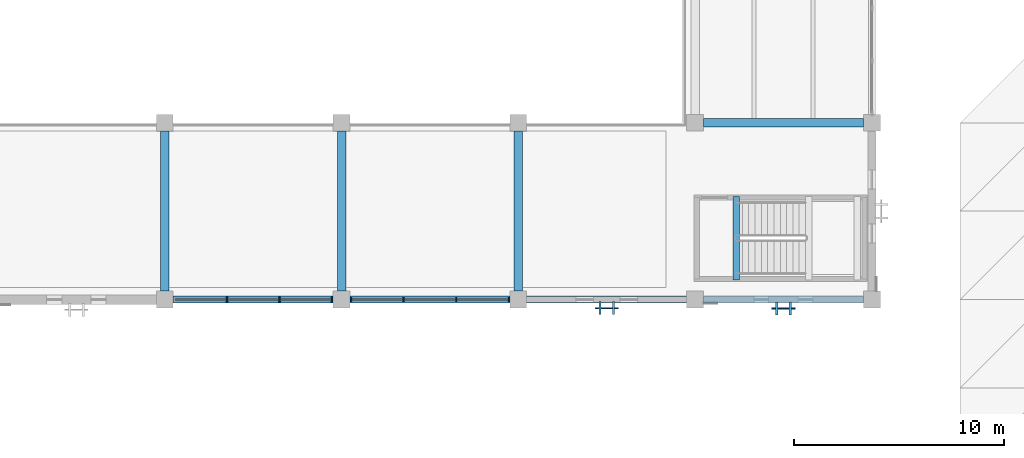
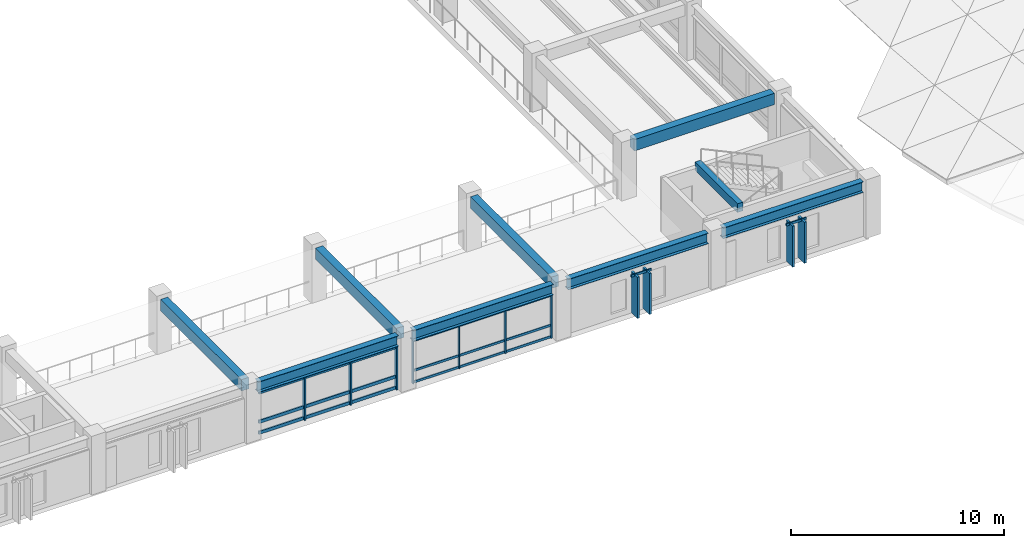
# One storey, part 8 of 123: 31 members, 9 beams, 4 elements without a shape of their own.
"""IFC4 building model written with IfcOpenShell, lengths in metres."""

from ifc_helpers import new_model, si_unit, direction, frame, origin, origin_2d, place, context, subcontext, project, spatial, rectangle, i_section, extrude, material, material_profile, profile_set, type_object, element, aggregate, save


model = new_model("IFC4")

# Units and contexts
model_context = context("Model", 3, precision=1e-05, world=origin(), true_north=direction((0.0, 1.0)))
body_context = subcontext(model_context, "Body", "Model", "MODEL_VIEW")
ifc_project = project(units=[si_unit("LENGTHUNIT", "METRE"), si_unit("AREAUNIT", "SQUARE_METRE"), si_unit("VOLUMEUNIT", "CUBIC_METRE"), si_unit("PLANEANGLEUNIT", "RADIAN"), si_unit("MASSUNIT", "GRAM", prefix="KILO")], contexts=[model_context])

# Site, building, storey
site_placement = place(None, origin())
site = spatial("IfcSite", under=ifc_project, at=site_placement, CompositionType="ELEMENT")
building_placement = place(site_placement, origin())
building = spatial("IfcBuilding", under=site, at=building_placement, Name="Cumbredor Promenade Congress Hotel", CompositionType="ELEMENT")
storey_placement = place(building_placement, frame((0.0, 0.0, 11.760009765625)))
storey = spatial("IfcBuildingStorey", under=building, at=storey_placement, Name="L03", CompositionType="ELEMENT", Elevation=11.760009765625)

# Beams
ifc_material_1 = material(Name="Concrete C40/50", Category="concrete")
ifc_material_profile_1 = material_profile(ifc_material_1, rectangle(XDim=0.39990234375, YDim=0.64990234375, at=origin_2d()), Name="RC BEAM 400x650")
ifc_profile_set_1 = profile_set([ifc_material_profile_1], Name="Concrete C40/50")
beam_type_1 = type_object("IfcBeamType", Name="BM-RC-400x650", PredefinedType="BEAM", material=ifc_profile_set_1)
for number, where, z_axis, x_axis, name in (
    (1, (33.60009765625, 8.800048828125, 2.794921875), (0.0, 1.0, 0.0), (-1.0, 0.0, 0.0), "L04 Y-Grid Beam 064"),
    (2, (42.0, 8.800048828125, 2.794921875), (0.0, 1.0, 0.0), (-1.0, 0.0, 0.0), "L04 Y-Grid Beam 077"),
    (3, (50.39990234375, 8.800048828125, 2.794921875), (0.0, 1.0, 0.0), (-1.0, 0.0, 0.0), "L04 Y-Grid Beam 090"),
):
    element("IfcBeam", number, at=place(storey_placement, frame(where, z_axis=z_axis, x_axis=x_axis)), inside=storey, type_object=beam_type_1, Name=name, PredefinedType="BEAM", context=body_context, shape_type="SweptSolid", body=[
        extrude(rectangle(XDim=0.39990234375, YDim=0.64990234375, at=origin_2d()), origin(), (0.0, 0.0, 1.0), 7.599853515625),
    ])
beam_1_placement = place(storey_placement, frame((59.199951171875, 16.800048828125, 2.794921875), z_axis=(1.0, 0.0, 0.0), x_axis=(0.0, 1.0, 0.0)))
element("IfcBeam", 4, at=beam_1_placement, inside=storey, type_object=beam_type_1, Name="L04 X-Grid Beam 104", PredefinedType="BEAM", context=body_context, shape_type="SweptSolid", body=[
    extrude(rectangle(XDim=0.39990234375, YDim=0.64990234375, at=origin_2d()), origin(), (0.0, 0.0, 1.0), 7.60009765625),
])
ifc_material_2 = material(Name="Steel ASTM A992 Grade 50", Category="steel")
ifc_material_profile_2 = material_profile(ifc_material_2, i_section(OverallWidth=0.323974609375, OverallDepth=0.611083984375, WebThickness=0.0126953125, FlangeThickness=0.01904296875, at=origin_2d()), Name="W24X104")
ifc_profile_set_2 = profile_set([ifc_material_profile_2], Name="Steel ASTM A992 Grade 50")
beam_type_2 = type_object("IfcBeamType", Name="BM-W24X104", PredefinedType="BEAM", material=ifc_profile_set_2)
for number, where, z_axis, x_axis, name in (
    (5, (34.0, 8.39990234375, 2.814453125), (1.0, 0.0, 0.0), (0.0, 1.0, 0.0), "L04 X-Grid Beam 063"),
    (6, (42.39990234375, 8.39990234375, 2.814453125), (1.0, 0.0, 0.0), (0.0, 1.0, 0.0), "L04 X-Grid Beam 076"),
):
    element("IfcBeam", number, at=place(storey_placement, frame(where, z_axis=z_axis, x_axis=x_axis)), inside=storey, type_object=beam_type_2, Name=name, PredefinedType="BEAM", context=body_context, shape_type="SweptSolid", body=[
        extrude(i_section(OverallWidth=0.323974609375, OverallDepth=0.611083984375, WebThickness=0.0126953125, FlangeThickness=0.01904296875, at=origin_2d()), origin(), (0.0, 0.0, 1.0), 7.60009765625),
    ])
beam_2_placement = place(storey_placement, frame((50.800048828125, 8.39990234375, 2.814453125), z_axis=(1.0, 0.0, 0.0), x_axis=(0.0, 1.0, 0.0)))
element("IfcBeam", 7, at=beam_2_placement, inside=storey, type_object=beam_type_2, Name="L04 X-Grid Beam 089", PredefinedType="BEAM", context=body_context, shape_type="SweptSolid", body=[
    extrude(i_section(OverallWidth=0.323974609375, OverallDepth=0.611083984375, WebThickness=0.0126953125, FlangeThickness=0.01904296875, at=origin_2d()), origin(), (0.0, 0.0, 1.0), 7.599853515625),
])
beam_3_placement = place(storey_placement, frame((59.199951171875, 8.39990234375, 2.814453125), z_axis=(1.0, 0.0, 0.0), x_axis=(0.0, 1.0, 0.0)))
element("IfcBeam", 8, at=beam_3_placement, inside=storey, type_object=beam_type_2, Name="L04 X-Grid Beam 103", PredefinedType="BEAM", context=body_context, shape_type="SweptSolid", body=[
    extrude(i_section(OverallWidth=0.323974609375, OverallDepth=0.611083984375, WebThickness=0.0126953125, FlangeThickness=0.01904296875, at=origin_2d()), origin(), (0.0, 0.0, 1.0), 7.60009765625),
])

# Curtain wall, members
ifc_material_3 = material(Name="Thermally broken anodized aluminium and low-E glass", Category="aluminium")
curtain_wall_type_1 = type_object("IfcCurtainWallType", Name="Unitised Bronze Curtain Wall CW-01", PredefinedType="NOTDEFINED", material=ifc_material_3)
curtain_wall_1_placement = place(storey_placement, origin())
curtain_wall_1 = element("IfcCurtainWall", 9, at=curtain_wall_1_placement, inside=storey, type_object=curtain_wall_type_1, Name="L03 Plenary Congress Hall South Curtain Wall 5", PredefinedType="NOTDEFINED")
ifc_material_4 = material(Name="Thermally broken anodized aluminium", Category="aluminium")
ifc_material_profile_3 = material_profile(ifc_material_4, rectangle(XDim=0.06494140625, YDim=0.159912109375, at=origin_2d()), Name="ALU MULLION 65x160")
ifc_profile_set_3 = profile_set([ifc_material_profile_3], Name="Thermally broken anodized aluminium")
member_type_1 = type_object("IfcMemberType", Name="Curtain Wall Mullion ML-01", PredefinedType="MULLION", material=ifc_profile_set_3)
member_1_placement = place(storey_placement, frame((42.455078125, 8.39990234375, -0.008056640625), z_axis=(0.0, 0.0, 1.0), x_axis=(1.0, 0.0, 0.0)))
member_1 = element("IfcMember", 10, at=member_1_placement, type_object=member_type_1, Name="L03 Plenary Congress Hall South Curtain Wall 5 Mullion 1", PredefinedType="MULLION", context=body_context, shape_type="SweptSolid", body=[
    extrude(rectangle(XDim=0.06494140625, YDim=0.159912109375, at=origin_2d()), origin(), (0.0, 0.0, 1.0), 2.510009765625),
])
member_2_placement = place(storey_placement, frame((44.95166015625, 8.39990234375, -0.008056640625), z_axis=(0.0, 0.0, 1.0), x_axis=(1.0, 0.0, 0.0)))
member_2 = element("IfcMember", 11, at=member_2_placement, type_object=member_type_1, Name="L03 Plenary Congress Hall South Curtain Wall 5 Mullion 2", PredefinedType="MULLION", context=body_context, shape_type="SweptSolid", body=[
    extrude(rectangle(XDim=0.06494140625, YDim=0.159912109375, at=origin_2d()), origin(), (0.0, 0.0, 1.0), 2.510009765625),
])
member_3_placement = place(storey_placement, frame((47.4482421875, 8.39990234375, -0.008056640625), z_axis=(0.0, 0.0, 1.0), x_axis=(1.0, 0.0, 0.0)))
member_3 = element("IfcMember", 12, at=member_3_placement, type_object=member_type_1, Name="L03 Plenary Congress Hall South Curtain Wall 5 Mullion 3", PredefinedType="MULLION", context=body_context, shape_type="SweptSolid", body=[
    extrude(rectangle(XDim=0.06494140625, YDim=0.159912109375, at=origin_2d()), origin(), (0.0, 0.0, 1.0), 2.510009765625),
])
member_4_placement = place(storey_placement, frame((49.945068359375, 8.39990234375, -0.008056640625), z_axis=(0.0, 0.0, 1.0), x_axis=(1.0, 0.0, 0.0)))
member_4 = element("IfcMember", 13, at=member_4_placement, type_object=member_type_1, Name="L03 Plenary Congress Hall South Curtain Wall 5 Mullion 4", PredefinedType="MULLION", context=body_context, shape_type="SweptSolid", body=[
    extrude(rectangle(XDim=0.06494140625, YDim=0.159912109375, at=origin_2d()), origin(), (0.0, 0.0, 1.0), 2.510009765625),
])

curtain_wall_2_placement = place(storey_placement, origin())
curtain_wall_2 = element("IfcCurtainWall", 14, at=curtain_wall_2_placement, inside=storey, type_object=curtain_wall_type_1, Name="L03 Plenary Congress Hall South Curtain Wall 4", PredefinedType="NOTDEFINED")
ifc_material_profile_4 = material_profile(ifc_material_4, rectangle(XDim=0.080078125, YDim=0.239990234375, at=origin_2d()), Name="ALU MULLION 80x240")
ifc_profile_set_4 = profile_set([ifc_material_profile_4], Name="Thermally broken anodized aluminium")
member_type_2 = type_object("IfcMemberType", Name="Curtain Wall Mullion ML-03", PredefinedType="MULLION", material=ifc_profile_set_4)
member_5_placement = place(storey_placement, frame((36.5517578125, 8.39990234375, -0.008056640625), z_axis=(0.0, 0.0, 1.0), x_axis=(1.0, 0.0, 0.0)))
member_5 = element("IfcMember", 15, at=member_5_placement, type_object=member_type_2, Name="L03 Plenary Congress Hall South Curtain Wall 4 Mullion 2", PredefinedType="MULLION", context=body_context, shape_type="SweptSolid", body=[
    extrude(rectangle(XDim=0.080078125, YDim=0.239990234375, at=origin_2d()), origin(), (0.0, 0.0, 1.0), 2.510009765625),
])
member_6_placement = place(storey_placement, frame((39.04833984375, 8.39990234375, -0.008056640625), z_axis=(0.0, 0.0, 1.0), x_axis=(1.0, 0.0, 0.0)))
member_6 = element("IfcMember", 16, at=member_6_placement, type_object=member_type_2, Name="L03 Plenary Congress Hall South Curtain Wall 4 Mullion 3", PredefinedType="MULLION", context=body_context, shape_type="SweptSolid", body=[
    extrude(rectangle(XDim=0.080078125, YDim=0.239990234375, at=origin_2d()), origin(), (0.0, 0.0, 1.0), 2.510009765625),
])
member_7_placement = place(storey_placement, frame((41.544921875, 8.39990234375, -0.008056640625), z_axis=(0.0, 0.0, 1.0), x_axis=(1.0, 0.0, 0.0)))
member_7 = element("IfcMember", 17, at=member_7_placement, type_object=member_type_2, Name="L03 Plenary Congress Hall South Curtain Wall 4 Mullion 4", PredefinedType="MULLION", context=body_context, shape_type="SweptSolid", body=[
    extrude(rectangle(XDim=0.080078125, YDim=0.239990234375, at=origin_2d()), origin(), (0.0, 0.0, 1.0), 2.510009765625),
])

# Member
ifc_material_profile_5 = material_profile(ifc_material_4, rectangle(XDim=0.06494140625, YDim=0.1298828125, at=origin_2d()), Name="ALU TRANSOM 65x130")
ifc_profile_set_5 = profile_set([ifc_material_profile_5], Name="Thermally broken anodized aluminium")
member_type_3 = type_object("IfcMemberType", Name="Curtain Wall Transom TR-01", PredefinedType="USERDEFINED", material=ifc_profile_set_5)
member_8_placement = place(storey_placement, frame((42.487548828125, 8.39990234375, 0.06005859375), z_axis=(1.0, 0.0, 0.0), x_axis=(0.0, 1.0, 0.0)))
member_8 = element("IfcMember", 18, at=member_8_placement, type_object=member_type_3, Name="L03 Plenary Congress Hall South Curtain Wall 5 Transom 1.1", ObjectType="TRANSOM", PredefinedType="USERDEFINED", context=body_context, shape_type="SweptSolid", body=[
    extrude(rectangle(XDim=0.06494140625, YDim=0.1298828125, at=origin_2d()), origin(), (0.0, 0.0, 1.0), 2.431640625),
])

member_9_placement = place(storey_placement, frame((42.487548828125, 8.39990234375, 0.719970703125), z_axis=(1.0, 0.0, 0.0), x_axis=(0.0, 1.0, 0.0)))
member_9 = element("IfcMember", 19, at=member_9_placement, type_object=member_type_3, Name="L03 Plenary Congress Hall South Curtain Wall 5 Transom 1.2", ObjectType="TRANSOM", PredefinedType="USERDEFINED", context=body_context, shape_type="SweptSolid", body=[
    extrude(rectangle(XDim=0.06494140625, YDim=0.1298828125, at=origin_2d()), origin(), (0.0, 0.0, 1.0), 2.431640625),
])

member_10_placement = place(storey_placement, frame((42.487548828125, 8.39990234375, 2.429931640625), z_axis=(1.0, 0.0, 0.0), x_axis=(0.0, 1.0, 0.0)))
member_10 = element("IfcMember", 20, at=member_10_placement, type_object=member_type_3, Name="L03 Plenary Congress Hall South Curtain Wall 5 Transom 1.3", ObjectType="TRANSOM", PredefinedType="USERDEFINED", context=body_context, shape_type="SweptSolid", body=[
    extrude(rectangle(XDim=0.06494140625, YDim=0.1298828125, at=origin_2d()), origin(), (0.0, 0.0, 1.0), 2.431640625),
])

member_11_placement = place(storey_placement, frame((44.984130859375, 8.39990234375, 0.06005859375), z_axis=(1.0, 0.0, 0.0), x_axis=(0.0, 1.0, 0.0)))
member_11 = element("IfcMember", 21, at=member_11_placement, type_object=member_type_3, Name="L03 Plenary Congress Hall South Curtain Wall 5 Transom 2.1", ObjectType="TRANSOM", PredefinedType="USERDEFINED", context=body_context, shape_type="SweptSolid", body=[
    extrude(rectangle(XDim=0.06494140625, YDim=0.1298828125, at=origin_2d()), origin(), (0.0, 0.0, 1.0), 2.431640625),
])

member_12_placement = place(storey_placement, frame((44.984130859375, 8.39990234375, 0.719970703125), z_axis=(1.0, 0.0, 0.0), x_axis=(0.0, 1.0, 0.0)))
member_12 = element("IfcMember", 22, at=member_12_placement, type_object=member_type_3, Name="L03 Plenary Congress Hall South Curtain Wall 5 Transom 2.2", ObjectType="TRANSOM", PredefinedType="USERDEFINED", context=body_context, shape_type="SweptSolid", body=[
    extrude(rectangle(XDim=0.06494140625, YDim=0.1298828125, at=origin_2d()), origin(), (0.0, 0.0, 1.0), 2.431640625),
])

member_13_placement = place(storey_placement, frame((44.984130859375, 8.39990234375, 2.429931640625), z_axis=(1.0, 0.0, 0.0), x_axis=(0.0, 1.0, 0.0)))
member_13 = element("IfcMember", 23, at=member_13_placement, type_object=member_type_3, Name="L03 Plenary Congress Hall South Curtain Wall 5 Transom 2.3", ObjectType="TRANSOM", PredefinedType="USERDEFINED", context=body_context, shape_type="SweptSolid", body=[
    extrude(rectangle(XDim=0.06494140625, YDim=0.1298828125, at=origin_2d()), origin(), (0.0, 0.0, 1.0), 2.431640625),
])

member_14_placement = place(storey_placement, frame((47.480712890625, 8.39990234375, 0.06005859375), z_axis=(1.0, 0.0, 0.0), x_axis=(0.0, 1.0, 0.0)))
member_14 = element("IfcMember", 24, at=member_14_placement, type_object=member_type_3, Name="L03 Plenary Congress Hall South Curtain Wall 5 Transom 3.1", ObjectType="TRANSOM", PredefinedType="USERDEFINED", context=body_context, shape_type="SweptSolid", body=[
    extrude(rectangle(XDim=0.06494140625, YDim=0.1298828125, at=origin_2d()), origin(), (0.0, 0.0, 1.0), 2.431884765625),
])

member_15_placement = place(storey_placement, frame((47.480712890625, 8.39990234375, 0.719970703125), z_axis=(1.0, 0.0, 0.0), x_axis=(0.0, 1.0, 0.0)))
member_15 = element("IfcMember", 25, at=member_15_placement, type_object=member_type_3, Name="L03 Plenary Congress Hall South Curtain Wall 5 Transom 3.2", ObjectType="TRANSOM", PredefinedType="USERDEFINED", context=body_context, shape_type="SweptSolid", body=[
    extrude(rectangle(XDim=0.06494140625, YDim=0.1298828125, at=origin_2d()), origin(), (0.0, 0.0, 1.0), 2.431884765625),
])

member_16_placement = place(storey_placement, frame((47.480712890625, 8.39990234375, 2.429931640625), z_axis=(1.0, 0.0, 0.0), x_axis=(0.0, 1.0, 0.0)))
member_16 = element("IfcMember", 26, at=member_16_placement, type_object=member_type_3, Name="L03 Plenary Congress Hall South Curtain Wall 5 Transom 3.3", ObjectType="TRANSOM", PredefinedType="USERDEFINED", context=body_context, shape_type="SweptSolid", body=[
    extrude(rectangle(XDim=0.06494140625, YDim=0.1298828125, at=origin_2d()), origin(), (0.0, 0.0, 1.0), 2.431884765625),
])

aggregate(curtain_wall_1, [member_1, member_2, member_3, member_4, member_8, member_9, member_10, member_11, member_12, member_13, member_14, member_15, member_16])

# Curtain wall, member
curtain_wall_type_2 = type_object("IfcCurtainWallType", Name="Solar Brise-Soleil Screen Assembly CW-07", PredefinedType="NOTDEFINED", material=ifc_material_3)
curtain_wall_3_placement = place(storey_placement, origin())
curtain_wall_3 = element("IfcCurtainWall", 27, at=curtain_wall_3_placement, inside=storey, type_object=curtain_wall_type_2, Name="L03 Pier Brise-Soleil Screen 0529", PredefinedType="NOTDEFINED")
member_17_placement = place(storey_placement, frame((54.050048828125, 7.989990234375, 2.333984375), z_axis=(1.0, 0.0, 0.0), x_axis=(0.0, 1.0, 0.0)))
member_17 = element("IfcMember", 28, at=member_17_placement, type_object=member_type_3, Name="L03 Pier Brise-Soleil Header 0531", ObjectType="TRANSOM", PredefinedType="USERDEFINED", context=body_context, shape_type="SweptSolid", body=[
    extrude(rectangle(XDim=0.06494140625, YDim=0.1298828125, at=origin_2d()), origin(), (0.0, 0.0, 1.0), 1.099853515625),
])

curtain_wall_4_placement = place(storey_placement, origin())
curtain_wall_4 = element("IfcCurtainWall", 29, at=curtain_wall_4_placement, inside=storey, type_object=curtain_wall_type_2, Name="L03 Pier Brise-Soleil Screen 0532", PredefinedType="NOTDEFINED")
member_18_placement = place(storey_placement, frame((62.449951171875, 7.9775390625, 2.333984375), z_axis=(1.0, 0.0, 0.0), x_axis=(0.0, 1.0, 0.0)))
member_18 = element("IfcMember", 30, at=member_18_placement, type_object=member_type_3, Name="L03 Pier Brise-Soleil Header 0534", ObjectType="TRANSOM", PredefinedType="USERDEFINED", context=body_context, shape_type="SweptSolid", body=[
    extrude(rectangle(XDim=0.06494140625, YDim=0.1298828125, at=origin_2d()), origin(), (0.0, 0.0, 1.0), 1.10009765625),
])

# Member
ifc_material_profile_6 = material_profile(ifc_material_4, rectangle(XDim=0.080078125, YDim=0.179931640625, at=origin_2d()), Name="ALU TRANSOM 80x180")
ifc_profile_set_6 = profile_set([ifc_material_profile_6], Name="Thermally broken anodized aluminium")
member_type_4 = type_object("IfcMemberType", Name="Curtain Wall Transom TR-03", PredefinedType="USERDEFINED", material=ifc_profile_set_6)
member_19_placement = place(storey_placement, frame((34.094970703125, 8.39990234375, 0.090087890625), z_axis=(1.0, 0.0, 0.0), x_axis=(0.0, 1.0, 0.0)))
member_19 = element("IfcMember", 31, at=member_19_placement, type_object=member_type_4, Name="L03 Plenary Congress Hall South Curtain Wall 4 Transom 1.1", ObjectType="TRANSOM", PredefinedType="USERDEFINED", context=body_context, shape_type="SweptSolid", body=[
    extrude(rectangle(XDim=0.080078125, YDim=0.179931640625, at=origin_2d()), origin(), (0.0, 0.0, 1.0), 2.416748046875),
])

member_20_placement = place(storey_placement, frame((34.094970703125, 8.39990234375, 0.719970703125), z_axis=(1.0, 0.0, 0.0), x_axis=(0.0, 1.0, 0.0)))
member_20 = element("IfcMember", 32, at=member_20_placement, type_object=member_type_4, Name="L03 Plenary Congress Hall South Curtain Wall 4 Transom 1.2", ObjectType="TRANSOM", PredefinedType="USERDEFINED", context=body_context, shape_type="SweptSolid", body=[
    extrude(rectangle(XDim=0.080078125, YDim=0.179931640625, at=origin_2d()), origin(), (0.0, 0.0, 1.0), 2.416748046875),
])

member_21_placement = place(storey_placement, frame((34.094970703125, 8.39990234375, 2.39990234375), z_axis=(1.0, 0.0, 0.0), x_axis=(0.0, 1.0, 0.0)))
member_21 = element("IfcMember", 33, at=member_21_placement, type_object=member_type_4, Name="L03 Plenary Congress Hall South Curtain Wall 4 Transom 1.3", ObjectType="TRANSOM", PredefinedType="USERDEFINED", context=body_context, shape_type="SweptSolid", body=[
    extrude(rectangle(XDim=0.080078125, YDim=0.179931640625, at=origin_2d()), origin(), (0.0, 0.0, 1.0), 2.416748046875),
])

member_22_placement = place(storey_placement, frame((36.591796875, 8.39990234375, 0.090087890625), z_axis=(1.0, 0.0, 0.0), x_axis=(0.0, 1.0, 0.0)))
member_22 = element("IfcMember", 34, at=member_22_placement, type_object=member_type_4, Name="L03 Plenary Congress Hall South Curtain Wall 4 Transom 2.1", ObjectType="TRANSOM", PredefinedType="USERDEFINED", context=body_context, shape_type="SweptSolid", body=[
    extrude(rectangle(XDim=0.080078125, YDim=0.179931640625, at=origin_2d()), origin(), (0.0, 0.0, 1.0), 2.41650390625),
])

member_23_placement = place(storey_placement, frame((36.591796875, 8.39990234375, 0.719970703125), z_axis=(1.0, 0.0, 0.0), x_axis=(0.0, 1.0, 0.0)))
member_23 = element("IfcMember", 35, at=member_23_placement, type_object=member_type_4, Name="L03 Plenary Congress Hall South Curtain Wall 4 Transom 2.2", ObjectType="TRANSOM", PredefinedType="USERDEFINED", context=body_context, shape_type="SweptSolid", body=[
    extrude(rectangle(XDim=0.080078125, YDim=0.179931640625, at=origin_2d()), origin(), (0.0, 0.0, 1.0), 2.41650390625),
])

member_24_placement = place(storey_placement, frame((36.591796875, 8.39990234375, 2.39990234375), z_axis=(1.0, 0.0, 0.0), x_axis=(0.0, 1.0, 0.0)))
member_24 = element("IfcMember", 36, at=member_24_placement, type_object=member_type_4, Name="L03 Plenary Congress Hall South Curtain Wall 4 Transom 2.3", ObjectType="TRANSOM", PredefinedType="USERDEFINED", context=body_context, shape_type="SweptSolid", body=[
    extrude(rectangle(XDim=0.080078125, YDim=0.179931640625, at=origin_2d()), origin(), (0.0, 0.0, 1.0), 2.41650390625),
])

member_25_placement = place(storey_placement, frame((39.08837890625, 8.39990234375, 0.090087890625), z_axis=(1.0, 0.0, 0.0), x_axis=(0.0, 1.0, 0.0)))
member_25 = element("IfcMember", 37, at=member_25_placement, type_object=member_type_4, Name="L03 Plenary Congress Hall South Curtain Wall 4 Transom 3.1", ObjectType="TRANSOM", PredefinedType="USERDEFINED", context=body_context, shape_type="SweptSolid", body=[
    extrude(rectangle(XDim=0.080078125, YDim=0.179931640625, at=origin_2d()), origin(), (0.0, 0.0, 1.0), 2.41650390625),
])

member_26_placement = place(storey_placement, frame((39.08837890625, 8.39990234375, 0.719970703125), z_axis=(1.0, 0.0, 0.0), x_axis=(0.0, 1.0, 0.0)))
member_26 = element("IfcMember", 38, at=member_26_placement, type_object=member_type_4, Name="L03 Plenary Congress Hall South Curtain Wall 4 Transom 3.2", ObjectType="TRANSOM", PredefinedType="USERDEFINED", context=body_context, shape_type="SweptSolid", body=[
    extrude(rectangle(XDim=0.080078125, YDim=0.179931640625, at=origin_2d()), origin(), (0.0, 0.0, 1.0), 2.41650390625),
])

member_27_placement = place(storey_placement, frame((39.08837890625, 8.39990234375, 2.39990234375), z_axis=(1.0, 0.0, 0.0), x_axis=(0.0, 1.0, 0.0)))
member_27 = element("IfcMember", 39, at=member_27_placement, type_object=member_type_4, Name="L03 Plenary Congress Hall South Curtain Wall 4 Transom 3.3", ObjectType="TRANSOM", PredefinedType="USERDEFINED", context=body_context, shape_type="SweptSolid", body=[
    extrude(rectangle(XDim=0.080078125, YDim=0.179931640625, at=origin_2d()), origin(), (0.0, 0.0, 1.0), 2.41650390625),
])

aggregate(curtain_wall_2, [member_5, member_6, member_7, member_19, member_20, member_21, member_22, member_23, member_24, member_25, member_26, member_27])

# Beam
ifc_material_profile_7 = material_profile(ifc_material_1, rectangle(XDim=0.300048828125, YDim=0.5, at=origin_2d()), Name="RC LINTEL 300x500")
ifc_profile_set_7 = profile_set([ifc_material_profile_7], Name="Concrete C40/50")
beam_type_3 = type_object("IfcBeamType", Name="LN-RC-300x500", PredefinedType="LINTEL", material=ifc_profile_set_7)
beam_4_placement = place(storey_placement, frame((60.75, 9.330078125, 3.110107421875), z_axis=(0.0, 1.0, 0.0), x_axis=(-1.0, 0.0, 0.0)))
element("IfcBeam", 40, at=beam_4_placement, inside=storey, type_object=beam_type_3, Name="L04 Stair ST-05 Well Header Trimmer Beam", PredefinedType="LINTEL", context=body_context, shape_type="SweptSolid", body=[
    extrude(rectangle(XDim=0.300048828125, YDim=0.5, at=origin_2d()), origin(), (0.0, 0.0, 1.0), 3.969970703125),
])

# Member
ifc_material_profile_8 = material_profile(ifc_material_4, rectangle(XDim=0.110107421875, YDim=0.6201171875, at=origin_2d()), Name="ARCH FIN 110x620")
ifc_profile_set_8 = profile_set([ifc_material_profile_8], Name="Thermally broken anodized aluminium")
member_type_5 = type_object("IfcMemberType", Name="Vertical Bronze Brise-Soleil Fin BSF-02 110x620", PredefinedType="USERDEFINED", material=ifc_profile_set_8)
member_28_placement = place(storey_placement, frame((54.280029296875, 7.989990234375, 0.02001953125), z_axis=(0.0, 0.0, 1.0), x_axis=(1.0, 0.0, 0.0)))
member_28 = element("IfcMember", 41, at=member_28_placement, type_object=member_type_5, Name="L03 Pier Brise-Soleil Fin 0530", ObjectType="SOLAR FIN", PredefinedType="USERDEFINED", context=body_context, shape_type="SweptSolid", body=[
    extrude(rectangle(XDim=0.110107421875, YDim=0.6201171875, at=origin_2d()), origin(), (0.0, 0.0, 1.0), 2.35400390625),
])

member_29_placement = place(storey_placement, frame((54.919921875, 7.989990234375, 0.02001953125), z_axis=(0.0, 0.0, 1.0), x_axis=(1.0, 0.0, 0.0)))
member_29 = element("IfcMember", 42, at=member_29_placement, type_object=member_type_5, Name="L03 Pier Brise-Soleil Fin 0531", ObjectType="SOLAR FIN", PredefinedType="USERDEFINED", context=body_context, shape_type="SweptSolid", body=[
    extrude(rectangle(XDim=0.110107421875, YDim=0.6201171875, at=origin_2d()), origin(), (0.0, 0.0, 1.0), 2.35400390625),
])

aggregate(curtain_wall_3, [member_28, member_29, member_17])

member_30_placement = place(storey_placement, frame((62.679931640625, 7.9775390625, 0.02001953125), z_axis=(0.0, 0.0, 1.0), x_axis=(1.0, 0.0, 0.0)))
member_30 = element("IfcMember", 43, at=member_30_placement, type_object=member_type_5, Name="L03 Pier Brise-Soleil Fin 0533", ObjectType="SOLAR FIN", PredefinedType="USERDEFINED", context=body_context, shape_type="SweptSolid", body=[
    extrude(rectangle(XDim=0.110107421875, YDim=0.6201171875, at=origin_2d()), origin(), (0.0, 0.0, 1.0), 2.35400390625),
])

member_31_placement = place(storey_placement, frame((63.320068359375, 7.9775390625, 0.02001953125), z_axis=(0.0, 0.0, 1.0), x_axis=(1.0, 0.0, 0.0)))
member_31 = element("IfcMember", 44, at=member_31_placement, type_object=member_type_5, Name="L03 Pier Brise-Soleil Fin 0534", ObjectType="SOLAR FIN", PredefinedType="USERDEFINED", context=body_context, shape_type="SweptSolid", body=[
    extrude(rectangle(XDim=0.110107421875, YDim=0.6201171875, at=origin_2d()), origin(), (0.0, 0.0, 1.0), 2.35400390625),
])

aggregate(curtain_wall_4, [member_30, member_31, member_18])

save(model, "model.ifc")
